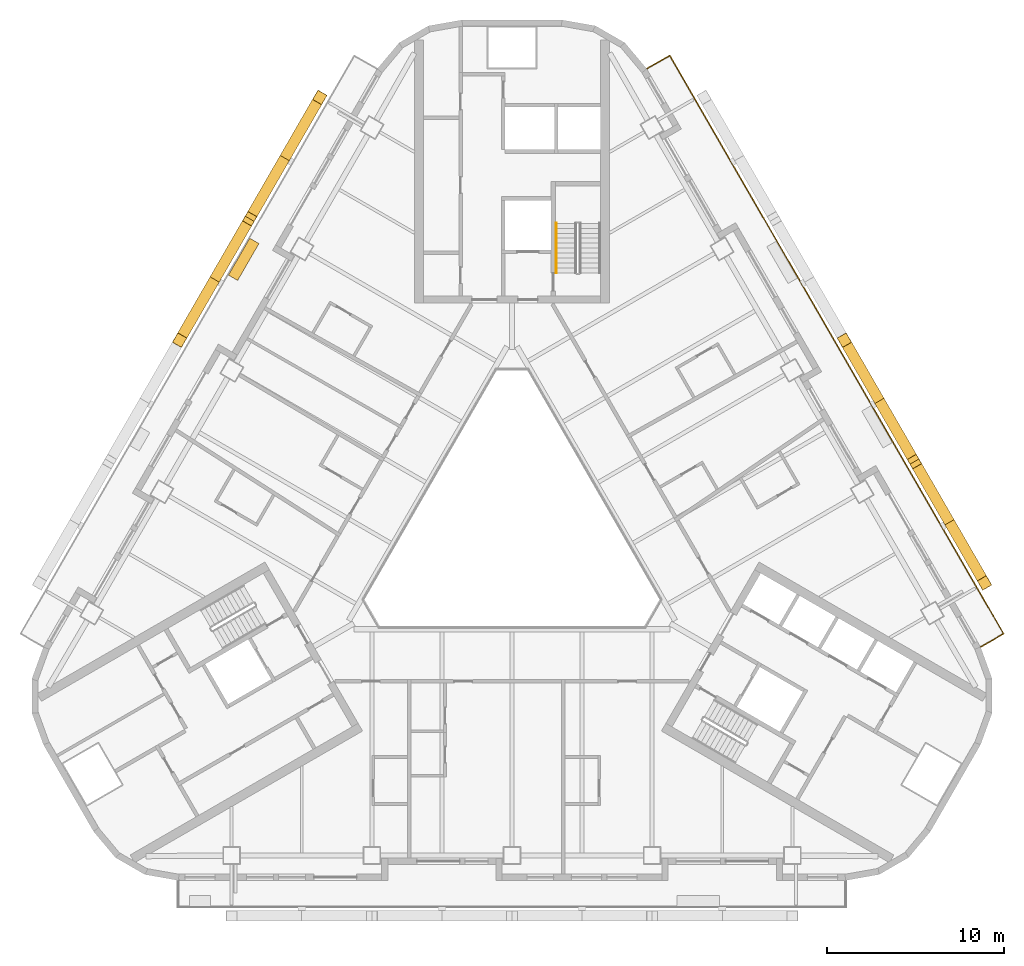
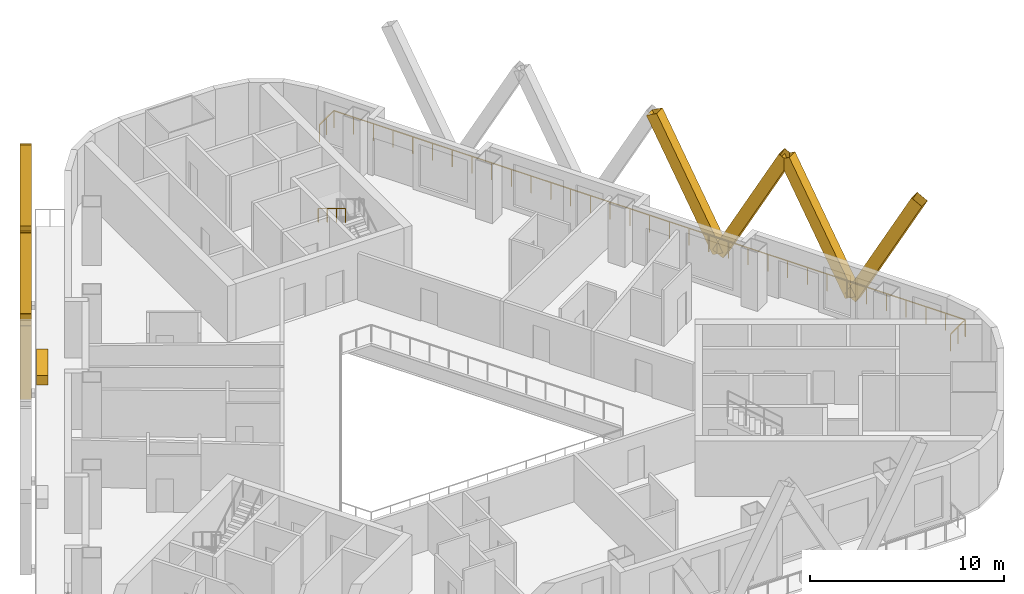
# One storey, part 13 of 14: 8 shading devices, 2 railings, 1 covering.
"""IFC4 building model written with IfcOpenShell, lengths in metres."""

from ifc_helpers import new_model, si_unit, direction, frame, origin, origin_2d, place, context, subcontext, project, spatial, rectangle, hollow_rectangle, circle, extrude, material, material_profile, profile_set, type_object, element, save


model = new_model("IFC4")

# Units and contexts
model_context = context("Model", 3, precision=1e-05, world=origin(), true_north=direction((0.0, 1.0)))
body_context = subcontext(model_context, "Body", "Model", "MODEL_VIEW")
ifc_project = project(units=[si_unit("LENGTHUNIT", "METRE"), si_unit("AREAUNIT", "SQUARE_METRE"), si_unit("VOLUMEUNIT", "CUBIC_METRE"), si_unit("PLANEANGLEUNIT", "RADIAN"), si_unit("MASSUNIT", "GRAM", prefix="KILO")], contexts=[model_context])

# Site, building, storey
site_placement = place(None, origin())
site = spatial("IfcSite", under=ifc_project, at=site_placement, CompositionType="ELEMENT")
building_placement = place(site_placement, origin())
building = spatial("IfcBuilding", under=site, at=building_placement, Name="Apuvela Tower Hotel", CompositionType="ELEMENT")
storey_placement = place(building_placement, frame((0.0, 0.0, 53.89990234375)))
storey = spatial("IfcBuildingStorey", under=building, at=storey_placement, Name="L10", CompositionType="ELEMENT", Elevation=53.89990234375)

# Railing
ifc_material_1 = material(Name="Stainless steel 316 handrail", Category="steel")
railing_type_1 = type_object("IfcRailingType", Name="COR-HANDRAIL-900", PredefinedType="HANDRAIL", material=ifc_material_1)
railing_1_placement = place(storey_placement, frame((2.5, 17.39990234375, 2.018310546875)))
element("IfcRailing", 1, at=railing_1_placement, inside=storey, type_object=railing_type_1, Name="L10 ST1 stair handrail 2", PredefinedType="HANDRAIL", context=body_context, shape_type="SweptSolid", body=[
    extrude(circle(Radius=0.02392578125, at=origin_2d()), frame((0.0, 0.0, 0.8759765625), z_axis=(0.0, -0.857222391501, 0.514946377315), x_axis=(1.0, 0.0, 0.0)), (0.0, 0.0, 1.0), 3.26611328125),
    extrude(rectangle(XDim=0.0419921875, YDim=0.0419921875, at=origin_2d()), origin(), (0.0, 0.0, 1.0), 0.851806640625),
    extrude(rectangle(XDim=0.0419921875, YDim=0.0419921875, at=origin_2d()), frame((0.0, -0.933349609375, 0.560546875)), (0.0, 0.0, 1.0), 0.851806640625),
    extrude(rectangle(XDim=0.0419921875, YDim=0.0419921875, at=origin_2d()), frame((0.0, -1.866455078125, 1.121337890625)), (0.0, 0.0, 1.0), 0.851806640625),
    extrude(rectangle(XDim=0.0419921875, YDim=0.0419921875, at=origin_2d()), frame((0.0, -2.7998046875, 1.681884765625)), (0.0, 0.0, 1.0), 0.851806640625),
])

# Shading devices
ifc_material_2 = material(Name="Aluminium 6063-T6, black anodised", Category="aluminium")
ifc_material_profile = material_profile(ifc_material_2, hollow_rectangle(XDim=0.60009765625, YDim=0.699951171875, WallThickness=0.011962890625, at=origin_2d()), Name="AL BOX 700x600x12")
ifc_profile_set = profile_set([ifc_material_profile], Name="Aluminium 6063-T6, black anodised")
shading_device_type = type_object("IfcShadingDeviceType", Name="ENV-FIN-700x600", PredefinedType="USERDEFINED", material=ifc_profile_set)
for number, where, z_axis, x_axis, name in (
    (2, (24.656982421875, 0.552490234375, -0.099853515625), (0.235463880167, -0.407797827568, 0.882189148067), (0.866005453737, 0.500034552904, 0.0), "Lattice fin NE57"),
    (3, (24.656982421875, 0.552490234375, -0.099853515625), (-0.235433593518, 0.407824887177, 0.882184722404), (-0.866047669374, -0.499961432884, 0.0), "Lattice fin NE58"),
    (4, (20.70703125, 7.394287109375, -0.099853515625), (0.235461085354, -0.407822092458, 0.882178677019), (0.866020906874, 0.500007788796, 0.0), "Lattice fin NE59"),
):
    element("IfcShadingDevice", number, at=place(storey_placement, frame(where, z_axis=z_axis, x_axis=x_axis)), inside=storey, type_object=shading_device_type, Name=name, ObjectType="FIN", PredefinedType="USERDEFINED", context=body_context, shape_type="SweptSolid", body=[
        extrude(hollow_rectangle(XDim=0.60009765625, YDim=0.699951171875, WallThickness=0.011962890625, at=origin_2d()), origin(), (0.0, 0.0, 1.0), 8.38818359375),
    ])
shading_device_placement = place(storey_placement, frame((20.70703125, 7.394287109375, -0.099853515625), z_axis=(-0.235436388043, 0.407800622186, 0.882195193667), x_axis=(-0.866032218625, -0.499988196164, 0.0)))
element("IfcShadingDevice", 5, at=shading_device_placement, inside=storey, type_object=shading_device_type, Name="Lattice fin NE60", ObjectType="FIN", PredefinedType="USERDEFINED", context=body_context, shape_type="SweptSolid", body=[
    extrude(hollow_rectangle(XDim=0.60009765625, YDim=0.699951171875, WallThickness=0.011962890625, at=origin_2d()), origin(), (0.0, 0.0, 1.0), 8.387939453125),
])
for number, where, z_axis, x_axis, name in (
    (6, (-12.80712890625, 21.077392578125, -0.099853515625), (0.235461085354, 0.407822092458, 0.882178677019), (-0.866020906874, 0.500007788796, 0.0), "Lattice fin NW105"),
    (7, (-12.80712890625, 21.077392578125, -0.099853515625), (-0.235433593518, -0.407824887177, 0.882184722404), (0.866047669374, -0.499961432884, 0.0), "Lattice fin NW106"),
    (8, (-16.757080078125, 14.23583984375, -0.099853515625), (0.235463880167, 0.407797827568, 0.882189148067), (-0.866005453737, 0.500034552904, 0.0), "Lattice fin NW107"),
    (9, (-16.757080078125, 14.23583984375, -0.099853515625), (-0.235461085354, -0.407822092458, 0.882178677019), (0.866020906874, -0.500007788796, 0.0), "Lattice fin NW108"),
):
    element("IfcShadingDevice", number, at=place(storey_placement, frame(where, z_axis=z_axis, x_axis=x_axis)), inside=storey, type_object=shading_device_type, Name=name, ObjectType="FIN", PredefinedType="USERDEFINED", context=body_context, shape_type="SweptSolid", body=[
        extrude(hollow_rectangle(XDim=0.60009765625, YDim=0.699951171875, WallThickness=0.011962890625, at=origin_2d()), origin(), (0.0, 0.0, 1.0), 8.38818359375),
    ])

# Railing
ifc_material_3 = material(Name="Stainless steel 316 rail with laminated glass infill", Category="steel")
railing_type_2 = type_object("IfcRailingType", Name="ENV-GUARD-1100", PredefinedType="GUARDRAIL", material=ifc_material_3)
railing_2_placement = place(storey_placement, frame((26.407958984375, -6.47998046875, 0.0)))
element("IfcRailing", 10, at=railing_2_placement, inside=storey, type_object=railing_type_2, Name="Balcony guard NE L10", PredefinedType="GUARDRAIL", context=body_context, shape_type="SweptSolid", body=[
    extrude(rectangle(XDim=0.050048828125, YDim=0.050048828125, at=origin_2d()), frame((0.0, 0.0, 1.0751953125), z_axis=(0.866031096941, 0.499990139034, 0.0), x_axis=(-0.499990139034, 0.866031096941, 0.0)), (0.0, 0.0, 1.0), 1.5),
    extrude(rectangle(XDim=0.050048828125, YDim=0.050048828125, at=origin_2d()), frame((1.299072265625, 0.75, 1.0751953125), z_axis=(-0.500000437506, 0.86602515119, 0.0), x_axis=(-0.86602515119, -0.500000437506, 0.0)), (0.0, 0.0, 1.0), 37.6318359375),
    extrude(rectangle(XDim=0.050048828125, YDim=0.050048828125, at=origin_2d()), frame((-17.516845703125, 33.340087890625, 1.0751953125), z_axis=(-0.86599040064, -0.500060622324, 0.0), x_axis=(0.500060622324, -0.86599040064, 0.0)), (0.0, 0.0, 1.0), 1.499755859375),
    extrude(rectangle(XDim=0.0400390625, YDim=0.0400390625, at=origin_2d()), origin(), (0.0, 0.0, 1.0), 1.050048828125),
    extrude(rectangle(XDim=0.0400390625, YDim=0.0400390625, at=origin_2d()), frame((0.6494140625, 0.375, 0.0)), (0.0, 0.0, 1.0), 1.050048828125),
    extrude(rectangle(XDim=0.0400390625, YDim=0.0400390625, at=origin_2d()), frame((1.299072265625, 0.75, 0.0)), (0.0, 0.0, 1.0), 1.050048828125),
    extrude(rectangle(XDim=0.0400390625, YDim=0.0400390625, at=origin_2d()), frame((0.711181640625, 1.7685546875, 0.0)), (0.0, 0.0, 1.0), 1.050048828125),
    extrude(rectangle(XDim=0.0400390625, YDim=0.0400390625, at=origin_2d()), frame((0.123046875, 2.786865234375, 0.0)), (0.0, 0.0, 1.0), 1.050048828125),
    extrude(rectangle(XDim=0.0400390625, YDim=0.0400390625, at=origin_2d()), frame((-0.46484375, 3.805419921875, 0.0)), (0.0, 0.0, 1.0), 1.050048828125),
    extrude(rectangle(XDim=0.0400390625, YDim=0.0400390625, at=origin_2d()), frame((-1.052978515625, 4.82373046875, 0.0)), (0.0, 0.0, 1.0), 1.050048828125),
    extrude(rectangle(XDim=0.0400390625, YDim=0.0400390625, at=origin_2d()), frame((-1.640869140625, 5.84228515625, 0.0)), (0.0, 0.0, 1.0), 1.050048828125),
    extrude(rectangle(XDim=0.0400390625, YDim=0.0400390625, at=origin_2d()), frame((-2.22900390625, 6.860595703125, 0.0)), (0.0, 0.0, 1.0), 1.050048828125),
    extrude(rectangle(XDim=0.0400390625, YDim=0.0400390625, at=origin_2d()), frame((-2.81689453125, 7.879150390625, 0.0)), (0.0, 0.0, 1.0), 1.050048828125),
    extrude(rectangle(XDim=0.0400390625, YDim=0.0400390625, at=origin_2d()), frame((-3.40478515625, 8.8974609375, 0.0)), (0.0, 0.0, 1.0), 1.050048828125),
    extrude(rectangle(XDim=0.0400390625, YDim=0.0400390625, at=origin_2d()), frame((-3.992919921875, 9.916015625, 0.0)), (0.0, 0.0, 1.0), 1.050048828125),
    extrude(rectangle(XDim=0.0400390625, YDim=0.0400390625, at=origin_2d()), frame((-4.580810546875, 10.934326171875, 0.0)), (0.0, 0.0, 1.0), 1.050048828125),
    extrude(rectangle(XDim=0.0400390625, YDim=0.0400390625, at=origin_2d()), frame((-5.1689453125, 11.952880859375, 0.0)), (0.0, 0.0, 1.0), 1.050048828125),
    extrude(rectangle(XDim=0.0400390625, YDim=0.0400390625, at=origin_2d()), frame((-5.7568359375, 12.97119140625, 0.0)), (0.0, 0.0, 1.0), 1.050048828125),
    extrude(rectangle(XDim=0.0400390625, YDim=0.0400390625, at=origin_2d()), frame((-6.344970703125, 13.98974609375, 0.0)), (0.0, 0.0, 1.0), 1.050048828125),
    extrude(rectangle(XDim=0.0400390625, YDim=0.0400390625, at=origin_2d()), frame((-6.932861328125, 15.008056640625, 0.0)), (0.0, 0.0, 1.0), 1.050048828125),
    extrude(rectangle(XDim=0.0400390625, YDim=0.0400390625, at=origin_2d()), frame((-7.52099609375, 16.026611328125, 0.0)), (0.0, 0.0, 1.0), 1.050048828125),
    extrude(rectangle(XDim=0.0400390625, YDim=0.0400390625, at=origin_2d()), frame((-8.10888671875, 17.044921875, 0.0)), (0.0, 0.0, 1.0), 1.050048828125),
    extrude(rectangle(XDim=0.0400390625, YDim=0.0400390625, at=origin_2d()), frame((-8.69677734375, 18.0634765625, 0.0)), (0.0, 0.0, 1.0), 1.050048828125),
    extrude(rectangle(XDim=0.0400390625, YDim=0.0400390625, at=origin_2d()), frame((-9.284912109375, 19.08203125, 0.0)), (0.0, 0.0, 1.0), 1.050048828125),
    extrude(rectangle(XDim=0.0400390625, YDim=0.0400390625, at=origin_2d()), frame((-9.872802734375, 20.100341796875, 0.0)), (0.0, 0.0, 1.0), 1.050048828125),
    extrude(rectangle(XDim=0.0400390625, YDim=0.0400390625, at=origin_2d()), frame((-10.4609375, 21.118896484375, 0.0)), (0.0, 0.0, 1.0), 1.050048828125),
    extrude(rectangle(XDim=0.0400390625, YDim=0.0400390625, at=origin_2d()), frame((-11.048828125, 22.13720703125, 0.0)), (0.0, 0.0, 1.0), 1.050048828125),
    extrude(rectangle(XDim=0.0400390625, YDim=0.0400390625, at=origin_2d()), frame((-11.636962890625, 23.15576171875, 0.0)), (0.0, 0.0, 1.0), 1.050048828125),
    extrude(rectangle(XDim=0.0400390625, YDim=0.0400390625, at=origin_2d()), frame((-12.224853515625, 24.174072265625, 0.0)), (0.0, 0.0, 1.0), 1.050048828125),
    extrude(rectangle(XDim=0.0400390625, YDim=0.0400390625, at=origin_2d()), frame((-12.81298828125, 25.192626953125, 0.0)), (0.0, 0.0, 1.0), 1.050048828125),
    extrude(rectangle(XDim=0.0400390625, YDim=0.0400390625, at=origin_2d()), frame((-13.40087890625, 26.2109375, 0.0)), (0.0, 0.0, 1.0), 1.050048828125),
    extrude(rectangle(XDim=0.0400390625, YDim=0.0400390625, at=origin_2d()), frame((-13.98876953125, 27.2294921875, 0.0)), (0.0, 0.0, 1.0), 1.050048828125),
    extrude(rectangle(XDim=0.0400390625, YDim=0.0400390625, at=origin_2d()), frame((-14.576904296875, 28.247802734375, 0.0)), (0.0, 0.0, 1.0), 1.050048828125),
    extrude(rectangle(XDim=0.0400390625, YDim=0.0400390625, at=origin_2d()), frame((-15.164794921875, 29.266357421875, 0.0)), (0.0, 0.0, 1.0), 1.050048828125),
    extrude(rectangle(XDim=0.0400390625, YDim=0.0400390625, at=origin_2d()), frame((-15.7529296875, 30.28466796875, 0.0)), (0.0, 0.0, 1.0), 1.050048828125),
    extrude(rectangle(XDim=0.0400390625, YDim=0.0400390625, at=origin_2d()), frame((-16.3408203125, 31.30322265625, 0.0)), (0.0, 0.0, 1.0), 1.050048828125),
    extrude(rectangle(XDim=0.0400390625, YDim=0.0400390625, at=origin_2d()), frame((-16.928955078125, 32.321533203125, 0.0)), (0.0, 0.0, 1.0), 1.050048828125),
    extrude(rectangle(XDim=0.0400390625, YDim=0.0400390625, at=origin_2d()), frame((-17.516845703125, 33.340087890625, 0.0)), (0.0, 0.0, 1.0), 1.050048828125),
    extrude(rectangle(XDim=0.0400390625, YDim=0.0400390625, at=origin_2d()), frame((-18.166259765625, 32.965087890625, 0.0)), (0.0, 0.0, 1.0), 1.050048828125),
    extrude(rectangle(XDim=0.0400390625, YDim=0.0400390625, at=origin_2d()), frame((-18.815673828125, 32.590087890625, 0.0)), (0.0, 0.0, 1.0), 1.050048828125),
])

# Covering
ifc_material_4 = material(Name="Planting substrate and soil, planted")
covering_type = type_object("IfcCoveringType", Name="ENV-PLANTER-2400x600", PredefinedType="USERDEFINED", material=ifc_material_4)
covering_placement = place(storey_placement, frame((-15.12109375, 15.36962890625, 0.0), z_axis=(0.0, 0.0, 1.0), x_axis=(-0.5, -0.866025403784, 0.0)))
element("IfcCovering", 11, at=covering_placement, inside=storey, type_object=covering_type, Name="Planter NW5", ObjectType="PLANTER", PredefinedType="USERDEFINED", context=body_context, shape_type="SweptSolid", body=[
    extrude(rectangle(XDim=2.39990234375, YDim=0.60009765625, at=origin_2d()), origin(), (0.0, 0.0, 1.0), 0.60009765625),
])

save(model, "model.ifc")
